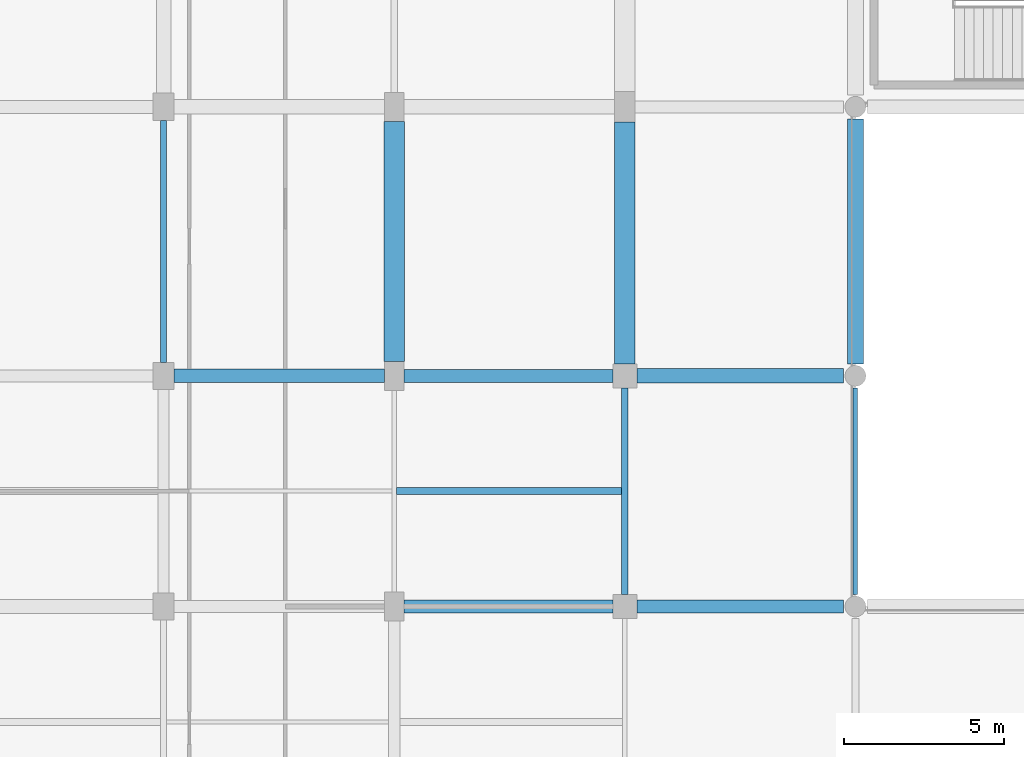
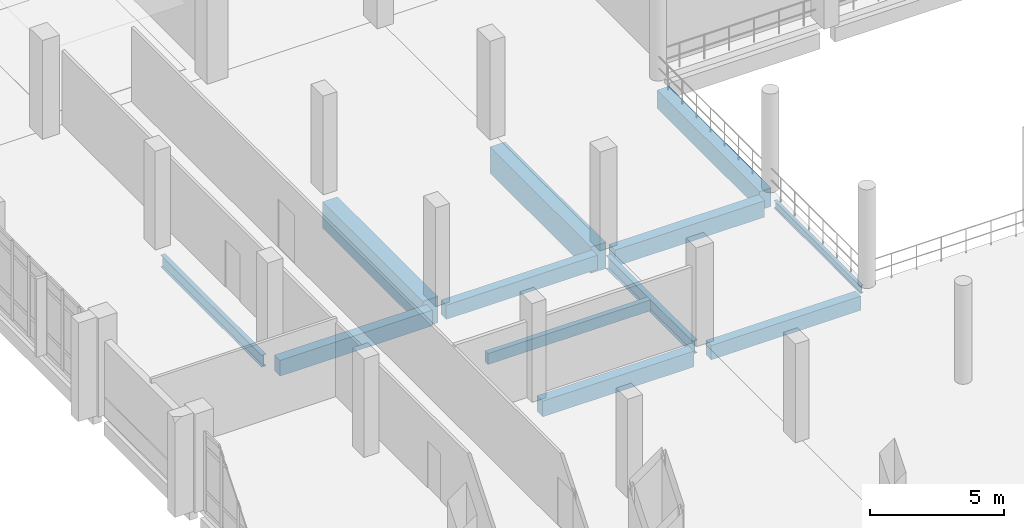
# One storey, part 51 of 134: 12 beams.
"""IFC4 building model written with IfcOpenShell, lengths in metres."""

from ifc_helpers import new_model, si_unit, direction, frame, origin, origin_2d, place, context, subcontext, project, spatial, rectangle, i_section, extrude, material, material_profile, profile_set, type_object, element, save


model = new_model("IFC4")

# Units and contexts
model_context = context("Model", 3, precision=1e-05, world=origin(), true_north=direction((0.0, 1.0)))
body_context = subcontext(model_context, "Body", "Model", "MODEL_VIEW")
ifc_project = project(units=[si_unit("LENGTHUNIT", "METRE"), si_unit("AREAUNIT", "SQUARE_METRE"), si_unit("VOLUMEUNIT", "CUBIC_METRE"), si_unit("PLANEANGLEUNIT", "RADIAN"), si_unit("MASSUNIT", "GRAM", prefix="KILO")], contexts=[model_context])

# Site, building, storey
site_placement = place(None, origin())
site = spatial("IfcSite", under=ifc_project, at=site_placement, CompositionType="ELEMENT")
building_placement = place(site_placement, origin())
building = spatial("IfcBuilding", under=site, at=building_placement, Name="Kalluvel Institute of Natural Sciences", CompositionType="ELEMENT")
storey_placement = place(building_placement, frame((0.0, 0.0, 5.39990234375)))
storey = spatial("IfcBuildingStorey", under=building, at=storey_placement, Name="L01", CompositionType="ELEMENT", Elevation=5.39990234375)

# Beams
ifc_material_1 = material(Name="Steel E350 Grade 350", Category="steel")
ifc_material_profile_1 = material_profile(ifc_material_1, i_section(OverallWidth=0.139892578125, OverallDepth=0.35009765625, WebThickness=0.008056640625, FlangeThickness=0.01416015625, FilletRadius=0.013916015625, at=origin_2d()), Name="ISMB 350")
ifc_profile_set_1 = profile_set([ifc_material_profile_1], Name="Steel E350 Grade 350")
beam_type_1 = type_object("IfcBeamType", Name="BM-ISMB350", PredefinedType="BEAM", material=ifc_profile_set_1)
beam_1_placement = place(storey_placement, frame((42.800048828125, 79.175048828125, -0.494873046875), z_axis=(0.0, 1.0, 0.0), x_axis=(-1.0, 0.0, 0.0)))
element("IfcBeam", 1, at=beam_1_placement, inside=storey, type_object=beam_type_1, Name="L01 girder GIR-L01-NS-X428-Y788", PredefinedType="BEAM", context=body_context, shape_type="SweptSolid", body=[
    extrude(i_section(OverallWidth=0.139892578125, OverallDepth=0.35009765625, WebThickness=0.008056640625, FlangeThickness=0.01416015625, FilletRadius=0.013916015625, at=origin_2d()), origin(), (0.0, 0.0, 1.0), 6.449951171875),
])
ifc_material_profile_2 = material_profile(ifc_material_1, i_section(OverallWidth=0.18994140625, OverallDepth=0.550048828125, WebThickness=0.01123046875, FlangeThickness=0.019287109375, FilletRadius=0.01806640625, at=origin_2d()), Name="ISMB 550")
ifc_profile_set_2 = profile_set([ifc_material_profile_2], Name="Steel E350 Grade 350")
beam_type_2 = type_object("IfcBeamType", Name="BM-ISMB550", PredefinedType="BEAM", material=ifc_profile_set_2)
beam_2_placement = place(storey_placement, frame((21.199951171875, 86.425048828125, -0.574951171875), z_axis=(0.0, 1.0, 0.0), x_axis=(-1.0, 0.0, 0.0)))
element("IfcBeam", 2, at=beam_2_placement, inside=storey, type_object=beam_type_2, Name="L01 girder GIR-L01-NS-X212-Y860", PredefinedType="BEAM", context=body_context, shape_type="SweptSolid", body=[
    extrude(i_section(OverallWidth=0.18994140625, OverallDepth=0.550048828125, WebThickness=0.01123046875, FlangeThickness=0.019287109375, FilletRadius=0.01806640625, at=origin_2d()), origin(), (0.0, 0.0, 1.0), 7.550048828125),
])
ifc_material_profile_3 = material_profile(ifc_material_1, i_section(OverallWidth=0.2099609375, OverallDepth=0.60009765625, WebThickness=0.011962890625, FlangeThickness=0.020751953125, FilletRadius=0.02001953125, at=origin_2d()), Name="ISMB 600")
ifc_profile_set_3 = profile_set([ifc_material_profile_3], Name="Steel E350 Grade 350")
beam_type_3 = type_object("IfcBeamType", Name="BM-ISMB600", PredefinedType="BEAM", material=ifc_profile_set_3)
beam_3_placement = place(storey_placement, frame((35.60009765625, 79.175048828125, -0.599853515625), z_axis=(0.0, 1.0, 0.0), x_axis=(-1.0, 0.0, 0.0)))
element("IfcBeam", 3, at=beam_3_placement, inside=storey, type_object=beam_type_3, Name="L01 girder GIR-L01-NS-X356-Y788", PredefinedType="BEAM", context=body_context, shape_type="SweptSolid", body=[
    extrude(i_section(OverallWidth=0.2099609375, OverallDepth=0.60009765625, WebThickness=0.011962890625, FlangeThickness=0.020751953125, FilletRadius=0.02001953125, at=origin_2d()), origin(), (0.0, 0.0, 1.0), 6.449951171875),
])
ifc_material_2 = material(Name="Concrete M40", Category="concrete")
ifc_material_profile_4 = material_profile(ifc_material_2, rectangle(XDim=0.39990234375, YDim=0.64990234375, at=origin_2d()), Name="RCB 400x650")
ifc_profile_set_4 = profile_set([ifc_material_profile_4], Name="Concrete M40")
beam_type_4 = type_object("IfcBeamType", Name="BM-RC400x650", PredefinedType="BEAM", material=ifc_profile_set_4)
beam_4_placement = place(storey_placement, frame((35.97509765625, 78.800048828125, -0.64501953125), z_axis=(1.0, 0.0, 0.0), x_axis=(0.0, 1.0, 0.0)))
element("IfcBeam", 4, at=beam_4_placement, inside=storey, type_object=beam_type_4, Name="L01 girder GIR-L01-EW-X356-Y788", PredefinedType="BEAM", context=body_context, shape_type="SweptSolid", body=[
    extrude(rectangle(XDim=0.39990234375, YDim=0.64990234375, at=origin_2d()), origin(), (0.0, 0.0, 1.0), 6.449951171875),
])
beam_5_placement = place(storey_placement, frame((28.699951171875, 86.0, -0.625), z_axis=(1.0, 0.0, 0.0), x_axis=(0.0, 1.0, 0.0)))
element("IfcBeam", 5, at=beam_5_placement, inside=storey, type_object=beam_type_4, Name="L01 girder GIR-L01-EW-X284-Y860", PredefinedType="BEAM", context=body_context, shape_type="SweptSolid", body=[
    extrude(rectangle(XDim=0.39990234375, YDim=0.64990234375, at=origin_2d()), origin(), (0.0, 0.0, 1.0), 6.525146484375),
])
ifc_material_profile_5 = material_profile(ifc_material_2, rectangle(XDim=0.419921875, YDim=0.719970703125, at=origin_2d()), Name="RCB 420x720")
ifc_profile_set_5 = profile_set([ifc_material_profile_5], Name="Concrete M40")
beam_type_5 = type_object("IfcBeamType", Name="BM-RC420x720", PredefinedType="BEAM", material=ifc_profile_set_5)
beam_6_placement = place(storey_placement, frame((28.699951171875, 78.800048828125, -0.659912109375), z_axis=(1.0, 0.0, 0.0), x_axis=(0.0, 1.0, 0.0)))
element("IfcBeam", 6, at=beam_6_placement, inside=storey, type_object=beam_type_5, Name="L01 girder GIR-L01-EW-X284-Y788", PredefinedType="BEAM", context=body_context, shape_type="SweptSolid", body=[
    extrude(rectangle(XDim=0.419921875, YDim=0.719970703125, at=origin_2d()), origin(), (0.0, 0.0, 1.0), 6.525146484375),
])
beam_7_placement = place(storey_placement, frame((21.52490234375, 86.0, -0.659912109375), z_axis=(1.0, 0.0, 0.0), x_axis=(0.0, 1.0, 0.0)))
element("IfcBeam", 7, at=beam_7_placement, inside=storey, type_object=beam_type_5, Name="L01 girder GIR-L01-EW-X212-Y860", PredefinedType="BEAM", context=body_context, shape_type="SweptSolid", body=[
    extrude(rectangle(XDim=0.419921875, YDim=0.719970703125, at=origin_2d()), origin(), (0.0, 0.0, 1.0), 6.5751953125),
])
ifc_material_profile_6 = material_profile(ifc_material_2, rectangle(XDim=0.449951171875, YDim=0.75, at=origin_2d()), Name="RCB 450x750")
ifc_profile_set_6 = profile_set([ifc_material_profile_6], Name="Concrete M40")
beam_type_6 = type_object("IfcBeamType", Name="BM-RC450x750", PredefinedType="BEAM", material=ifc_profile_set_6)
beam_8_placement = place(storey_placement, frame((35.97509765625, 86.0, -0.69482421875), z_axis=(1.0, 0.0, 0.0), x_axis=(0.0, 1.0, 0.0)))
element("IfcBeam", 8, at=beam_8_placement, inside=storey, type_object=beam_type_6, Name="L01 girder GIR-L01-EW-X356-Y860", PredefinedType="BEAM", context=body_context, shape_type="SweptSolid", body=[
    extrude(rectangle(XDim=0.449951171875, YDim=0.75, at=origin_2d()), origin(), (0.0, 0.0, 1.0), 6.449951171875),
])
ifc_material_3 = material(Name="Concrete M50", Category="concrete")
ifc_material_profile_7 = material_profile(ifc_material_3, rectangle(XDim=0.5, YDim=0.85009765625, at=origin_2d()), Name="RCB 500x850")
ifc_profile_set_7 = profile_set([ifc_material_profile_7], Name="Concrete M50")
beam_type_7 = type_object("IfcBeamType", Name="BM-RC500x850", PredefinedType="BEAM", material=ifc_profile_set_7)
beam_9_placement = place(storey_placement, frame((42.800048828125, 86.375, -0.744873046875), z_axis=(0.0, 1.0, 0.0), x_axis=(-1.0, 0.0, 0.0)))
element("IfcBeam", 9, at=beam_9_placement, inside=storey, type_object=beam_type_7, Name="L01 girder GIR-L01-NS-X428-Y860", PredefinedType="BEAM", context=body_context, shape_type="SweptSolid", body=[
    extrude(rectangle(XDim=0.5, YDim=0.85009765625, at=origin_2d()), origin(), (0.0, 0.0, 1.0), 7.64990234375),
])
ifc_material_profile_8 = material_profile(ifc_material_3, rectangle(XDim=0.64990234375, YDim=1.199951171875, at=origin_2d()), Name="RCB 650x1200")
ifc_profile_set_8 = profile_set([ifc_material_profile_8], Name="Concrete M50")
beam_type_8 = type_object("IfcBeamType", Name="BM-RC650x1200", PredefinedType="BEAM", material=ifc_profile_set_8)
beam_10_placement = place(storey_placement, frame((28.39990234375, 86.449951171875, -0.89990234375), z_axis=(0.0, 1.0, 0.0), x_axis=(-1.0, 0.0, 0.0)))
element("IfcBeam", 10, at=beam_10_placement, inside=storey, type_object=beam_type_8, Name="L01 girder GIR-L01-NS-X284-Y860", PredefinedType="BEAM", context=body_context, shape_type="SweptSolid", body=[
    extrude(rectangle(XDim=0.64990234375, YDim=1.199951171875, at=origin_2d()), origin(), (0.0, 0.0, 1.0), 7.5),
])
beam_11_placement = place(storey_placement, frame((35.60009765625, 86.375, -0.89990234375), z_axis=(0.0, 1.0, 0.0), x_axis=(-1.0, 0.0, 0.0)))
element("IfcBeam", 11, at=beam_11_placement, inside=storey, type_object=beam_type_8, Name="L01 girder GIR-L01-NS-X356-Y860", PredefinedType="BEAM", context=body_context, shape_type="SweptSolid", body=[
    extrude(rectangle(XDim=0.64990234375, YDim=1.199951171875, at=origin_2d()), origin(), (0.0, 0.0, 1.0), 7.550048828125),
])
ifc_material_profile_9 = material_profile(ifc_material_2, rectangle(XDim=0.219970703125, YDim=0.5, at=origin_2d()), Name="WAF 220x500")
ifc_profile_set_9 = profile_set([ifc_material_profile_9], Name="Concrete M40")
beam_type_9 = type_object("IfcBeamType", Name="WJ-220x500", PredefinedType="JOIST", material=ifc_profile_set_9)
beam_12_placement = place(storey_placement, frame((28.469970703125, 82.39990234375, -0.5498046875), z_axis=(1.0, 0.0, 0.0), x_axis=(0.0, 1.0, 0.0)))
element("IfcBeam", 12, at=beam_12_placement, inside=storey, type_object=beam_type_9, Name="L01 floor rib RIB-L01-0652", PredefinedType="JOIST", context=body_context, shape_type="SweptSolid", body=[
    extrude(rectangle(XDim=0.219970703125, YDim=0.5, at=origin_2d()), origin(), (0.0, 0.0, 1.0), 7.025146484375),
])

save(model, "model.ifc")
